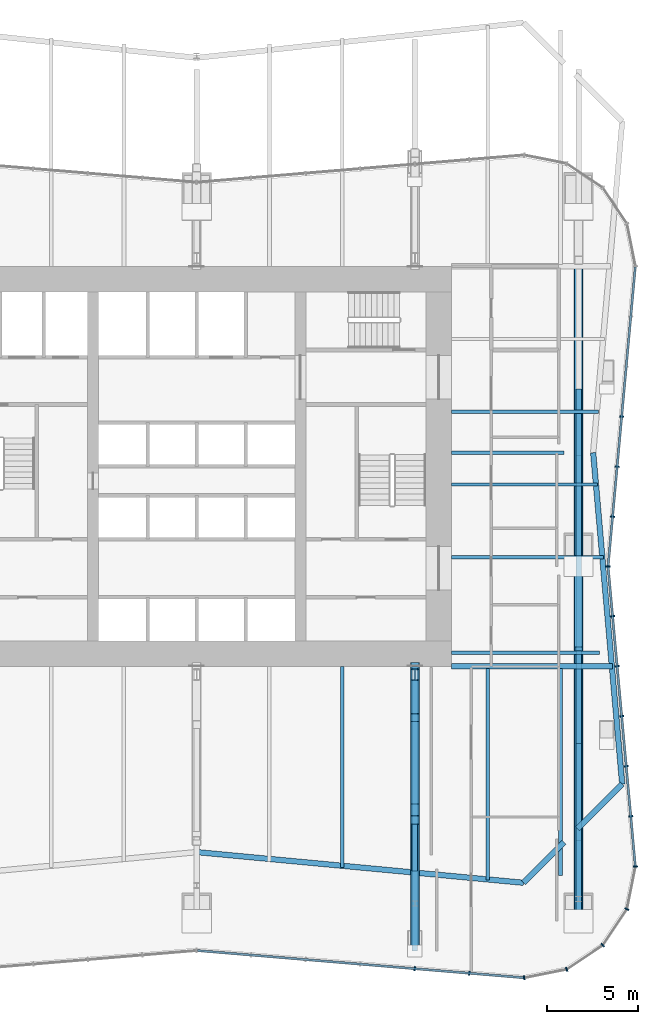
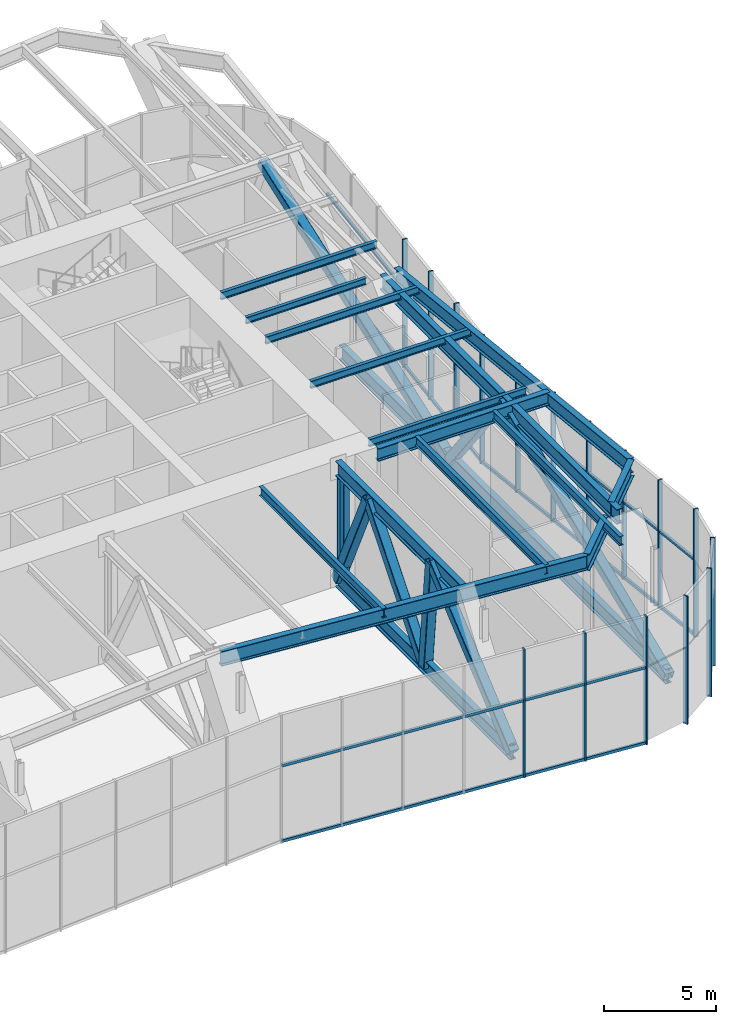
# One storey, part 7 of 17: 37 members, 13 beams, 3 elements without a shape of their own.
"""IFC4 building model written with IfcOpenShell, lengths in metres."""

from ifc_helpers import new_model, si_unit, direction, frame, origin, origin_2d, place, context, subcontext, project, spatial, rectangle, hollow_rectangle, i_section, extrude, material, material_profile, profile_set, type_object, element, aggregate, save


model = new_model("IFC4")

# Units and contexts
model_context = context("Model", 3, precision=1e-05, world=origin(), true_north=direction((0.0, 1.0)))
body_context = subcontext(model_context, "Body", "Model", "MODEL_VIEW")
ifc_project = project(units=[si_unit("LENGTHUNIT", "METRE"), si_unit("AREAUNIT", "SQUARE_METRE"), si_unit("VOLUMEUNIT", "CUBIC_METRE"), si_unit("PLANEANGLEUNIT", "RADIAN"), si_unit("MASSUNIT", "GRAM", prefix="KILO")], contexts=[model_context])

# Site, building, storey
site_placement = place(None, origin())
site = spatial("IfcSite", under=ifc_project, at=site_placement, CompositionType="ELEMENT")
building_placement = place(site_placement, origin())
building = spatial("IfcBuilding", under=site, at=building_placement, Name="Verdant Reach Tower", CompositionType="ELEMENT")
storey_placement = place(building_placement, frame((0.0, 0.0, 58.0)))
storey = spatial("IfcBuildingStorey", under=building, at=storey_placement, Name="L13 Plant", CompositionType="ELEMENT", Elevation=58.0)

# Curtain wall, members
ifc_material_1 = material(Name="Anodised aluminium", Category="aluminium")
curtain_wall_type = type_object("IfcCurtainWallType", Name="EN-CW SYSTEM PLANT", PredefinedType="NOTDEFINED", material=ifc_material_1)
curtain_wall_1_placement = place(storey_placement, origin())
curtain_wall_1 = element("IfcCurtainWall", 1, at=curtain_wall_1_placement, inside=storey, type_object=curtain_wall_type, Name="Curtain wall south-east corner, L13", PredefinedType="NOTDEFINED")
ifc_material_profile_1 = material_profile(ifc_material_1, rectangle(XDim=0.238037109375, YDim=0.080078125, at=origin_2d()), Name="Mullion 80x240")
ifc_profile_set_1 = profile_set([ifc_material_profile_1], Name="Anodised aluminium")
member_type_1 = type_object("IfcMemberType", Name="EN-MULLION PLANT", PredefinedType="MULLION", material=ifc_profile_set_1)
member_1_placement = place(storey_placement, frame((18.0068359375, -0.118896484375, -0.35009765625), z_axis=(0.0, 0.0, 1.0), x_axis=(0.056569187765, -0.998398681387, 0.0)))
member_1 = element("IfcMember", 2, at=member_1_placement, type_object=member_type_1, Name="Mullion south-east corner 1, L13", PredefinedType="MULLION", context=body_context, shape_type="SweptSolid", body=[
    extrude(rectangle(XDim=0.238037109375, YDim=0.080078125, at=origin_2d()), origin(), (0.0, 0.0, 1.0), 7.0),
])
member_2_placement = place(storey_placement, frame((20.341552734375, 0.3466796875, -0.35009765625), z_axis=(0.0, 0.0, 1.0), x_axis=(0.382693853776, -0.923875215753, 0.0)))
member_2 = element("IfcMember", 3, at=member_2_placement, type_object=member_type_1, Name="Mullion south-east corner 2, L13", PredefinedType="MULLION", context=body_context, shape_type="SweptSolid", body=[
    extrude(rectangle(XDim=0.238037109375, YDim=0.080078125, at=origin_2d()), origin(), (0.0, 0.0, 1.0), 7.0),
])
member_3_placement = place(storey_placement, frame((22.32666015625, 1.67333984375, -0.35009765625), z_axis=(0.0, 0.0, 1.0), x_axis=(0.707106781187, -0.707106781187, 0.0)))
member_3 = element("IfcMember", 4, at=member_3_placement, type_object=member_type_1, Name="Mullion south-east corner 3, L13", PredefinedType="MULLION", context=body_context, shape_type="SweptSolid", body=[
    extrude(rectangle(XDim=0.238037109375, YDim=0.080078125, at=origin_2d()), origin(), (0.0, 0.0, 1.0), 7.0),
])
member_4_placement = place(storey_placement, frame((23.6533203125, 3.658447265625, -0.35009765625), z_axis=(0.0, 0.0, 1.0), x_axis=(0.923875215753, -0.382693853776, 0.0)))
member_4 = element("IfcMember", 5, at=member_4_placement, type_object=member_type_1, Name="Mullion south-east corner 4, L13", PredefinedType="MULLION", context=body_context, shape_type="SweptSolid", body=[
    extrude(rectangle(XDim=0.238037109375, YDim=0.080078125, at=origin_2d()), origin(), (0.0, 0.0, 1.0), 7.0),
])
aggregate(curtain_wall_1, [member_1, member_2, member_3, member_4])

curtain_wall_2_placement = place(storey_placement, origin())
curtain_wall_2 = element("IfcCurtainWall", 6, at=curtain_wall_2_placement, inside=storey, type_object=curtain_wall_type, Name="Curtain wall east, L13", PredefinedType="NOTDEFINED")
member_5_placement = place(storey_placement, frame((24.118896484375, 5.99365234375, -0.35009765625), z_axis=(0.0, 0.0, 1.0), x_axis=(0.998604288049, -0.052815489107, 0.0)))
member_5 = element("IfcMember", 7, at=member_5_placement, type_object=member_type_1, Name="Mullion east face part 1 1, L13", PredefinedType="MULLION", context=body_context, shape_type="SweptSolid", body=[
    extrude(rectangle(XDim=0.238037109375, YDim=0.080078125, at=origin_2d()), origin(), (0.0, 0.0, 1.0), 7.0),
])
member_6_placement = place(storey_placement, frame((23.868408203125, 8.7607421875, -0.35009765625), z_axis=(0.0, 0.0, 1.0), x_axis=(0.995893206467, 0.090535746047, 0.0)))
member_6 = element("IfcMember", 8, at=member_6_placement, type_object=member_type_1, Name="Mullion east face part 1 2, L13", PredefinedType="MULLION", context=body_context, shape_type="SweptSolid", body=[
    extrude(rectangle(XDim=0.238037109375, YDim=0.080078125, at=origin_2d()), origin(), (0.0, 0.0, 1.0), 7.0),
])
member_7_placement = place(storey_placement, frame((23.618408203125, 11.5107421875, -0.35009765625), z_axis=(0.0, 0.0, 1.0), x_axis=(0.995893206467, 0.090535746047, 0.0)))
member_7 = element("IfcMember", 9, at=member_7_placement, type_object=member_type_1, Name="Mullion east face part 1 3, L13", PredefinedType="MULLION", context=body_context, shape_type="SweptSolid", body=[
    extrude(rectangle(XDim=0.238037109375, YDim=0.080078125, at=origin_2d()), origin(), (0.0, 0.0, 1.0), 7.0),
])
member_8_placement = place(storey_placement, frame((23.368408203125, 14.2607421875, -0.35009765625), z_axis=(0.0, 0.0, 1.0), x_axis=(0.995893206467, 0.090535746047, 0.0)))
member_8 = element("IfcMember", 10, at=member_8_placement, type_object=member_type_1, Name="Mullion east face part 1 4, L13", PredefinedType="MULLION", context=body_context, shape_type="SweptSolid", body=[
    extrude(rectangle(XDim=0.238037109375, YDim=0.080078125, at=origin_2d()), origin(), (0.0, 0.0, 1.0), 7.0),
])
member_9_placement = place(storey_placement, frame((23.118408203125, 17.0107421875, -0.35009765625), z_axis=(0.0, 0.0, 1.0), x_axis=(0.995893206467, 0.090535746047, 0.0)))
member_9 = element("IfcMember", 11, at=member_9_placement, type_object=member_type_1, Name="Mullion east face part 1 5, L13", PredefinedType="MULLION", context=body_context, shape_type="SweptSolid", body=[
    extrude(rectangle(XDim=0.238037109375, YDim=0.080078125, at=origin_2d()), origin(), (0.0, 0.0, 1.0), 7.0),
])
member_10_placement = place(storey_placement, frame((22.868408203125, 19.7607421875, -0.35009765625), z_axis=(0.0, 0.0, 1.0), x_axis=(0.995893206467, 0.090535746047, 0.0)))
member_10 = element("IfcMember", 12, at=member_10_placement, type_object=member_type_1, Name="Mullion east face part 1 6, L13", PredefinedType="MULLION", context=body_context, shape_type="SweptSolid", body=[
    extrude(rectangle(XDim=0.238037109375, YDim=0.080078125, at=origin_2d()), origin(), (0.0, 0.0, 1.0), 7.0),
])
member_11_placement = place(storey_placement, frame((22.618896484375, 22.5, -0.35009765625), z_axis=(0.0, 0.0, 1.0), x_axis=(1.0, 0.0, 0.0)))
member_11 = element("IfcMember", 13, at=member_11_placement, type_object=member_type_1, Name="Mullion east face part 2 1, L13", PredefinedType="MULLION", context=body_context, shape_type="SweptSolid", body=[
    extrude(rectangle(XDim=0.238037109375, YDim=0.080078125, at=origin_2d()), origin(), (0.0, 0.0, 1.0), 7.0),
])
member_12_placement = place(storey_placement, frame((22.868408203125, 25.2392578125, -0.35009765625), z_axis=(0.0, 0.0, 1.0), x_axis=(0.995893206467, -0.090535746047, 0.0)))
member_12 = element("IfcMember", 14, at=member_12_placement, type_object=member_type_1, Name="Mullion east face part 2 2, L13", PredefinedType="MULLION", context=body_context, shape_type="SweptSolid", body=[
    extrude(rectangle(XDim=0.238037109375, YDim=0.080078125, at=origin_2d()), origin(), (0.0, 0.0, 1.0), 7.0),
])
member_13_placement = place(storey_placement, frame((23.118408203125, 27.9892578125, -0.35009765625), z_axis=(0.0, 0.0, 1.0), x_axis=(0.995893206467, -0.090535746047, 0.0)))
member_13 = element("IfcMember", 15, at=member_13_placement, type_object=member_type_1, Name="Mullion east face part 2 3, L13", PredefinedType="MULLION", context=body_context, shape_type="SweptSolid", body=[
    extrude(rectangle(XDim=0.238037109375, YDim=0.080078125, at=origin_2d()), origin(), (0.0, 0.0, 1.0), 7.0),
])
member_14_placement = place(storey_placement, frame((23.368408203125, 30.7392578125, -0.35009765625), z_axis=(0.0, 0.0, 1.0), x_axis=(0.995893206467, -0.090535746047, 0.0)))
member_14 = element("IfcMember", 16, at=member_14_placement, type_object=member_type_1, Name="Mullion east face part 2 4, L13", PredefinedType="MULLION", context=body_context, shape_type="SweptSolid", body=[
    extrude(rectangle(XDim=0.238037109375, YDim=0.080078125, at=origin_2d()), origin(), (0.0, 0.0, 1.0), 7.0),
])

curtain_wall_3_placement = place(storey_placement, origin())
curtain_wall_3 = element("IfcCurtainWall", 17, at=curtain_wall_3_placement, inside=storey, type_object=curtain_wall_type, Name="Curtain wall south, L13", PredefinedType="NOTDEFINED")
member_15_placement = place(storey_placement, frame((11.990234375, 0.38134765625, -0.35009765625), z_axis=(0.0, 0.0, 1.0), x_axis=(-0.083045479859, -0.996545758244, 0.0)))
member_15 = element("IfcMember", 18, at=member_15_placement, type_object=member_type_1, Name="Mullion south face part 2 5, L13", PredefinedType="MULLION", context=body_context, shape_type="SweptSolid", body=[
    extrude(rectangle(XDim=0.238037109375, YDim=0.080078125, at=origin_2d()), origin(), (0.0, 0.0, 1.0), 7.0),
])
member_16_placement = place(storey_placement, frame((14.990234375, 0.13134765625, -0.35009765625), z_axis=(0.0, 0.0, 1.0), x_axis=(-0.083045479859, -0.996545758244, 0.0)))
member_16 = element("IfcMember", 19, at=member_16_placement, type_object=member_type_1, Name="Mullion south face part 2 6, L13", PredefinedType="MULLION", context=body_context, shape_type="SweptSolid", body=[
    extrude(rectangle(XDim=0.238037109375, YDim=0.080078125, at=origin_2d()), origin(), (0.0, 0.0, 1.0), 7.0),
])

# Member
ifc_material_profile_2 = material_profile(ifc_material_1, rectangle(XDim=0.1201171875, YDim=0.14990234375, at=origin_2d()), Name="Transom 150x120")
ifc_profile_set_2 = profile_set([ifc_material_profile_2], Name="Anodised aluminium")
member_type_2 = type_object("IfcMemberType", Name="EN-TRANSOM PLANT", PredefinedType="USERDEFINED", material=ifc_profile_set_2)
member_17_placement = place(storey_placement, frame((24.115234375, 6.033447265625, -0.27490234375), z_axis=(-0.090495709418, 0.995896845349, 0.0), x_axis=(-0.995896845349, -0.090495709418, 0.0)))
member_17 = element("IfcMember", 20, at=member_17_placement, type_object=member_type_2, Name="Transom east face part 1 1.1, L13", ObjectType="TRANSOM", PredefinedType="USERDEFINED", context=body_context, shape_type="SweptSolid", body=[
    extrude(rectangle(XDim=0.1201171875, YDim=0.14990234375, at=origin_2d()), origin(), (0.0, 0.0, 1.0), 16.494384765625),
])

member_18_placement = place(storey_placement, frame((24.115234375, 6.033447265625, 3.85009765625), z_axis=(-0.090495709418, 0.995896845349, 0.0), x_axis=(-0.995896845349, -0.090495709418, 0.0)))
member_18 = element("IfcMember", 21, at=member_18_placement, type_object=member_type_2, Name="Transom east face part 1 1.2, L13", ObjectType="TRANSOM", PredefinedType="USERDEFINED", context=body_context, shape_type="SweptSolid", body=[
    extrude(rectangle(XDim=0.1201171875, YDim=0.14990234375, at=origin_2d()), origin(), (0.0, 0.0, 1.0), 16.494384765625),
])

member_19_placement = place(storey_placement, frame((22.62255859375, 22.539794921875, -0.27490234375), z_axis=(0.090495709418, 0.995896845349, 0.0), x_axis=(-0.995896845349, 0.090495709418, 0.0)))
member_19 = element("IfcMember", 22, at=member_19_placement, type_object=member_type_2, Name="Transom east face part 2 1.1, L13", ObjectType="TRANSOM", PredefinedType="USERDEFINED", context=body_context, shape_type="SweptSolid", body=[
    extrude(rectangle(XDim=0.1201171875, YDim=0.14990234375, at=origin_2d()), origin(), (0.0, 0.0, 1.0), 16.494384765625),
])

member_20_placement = place(storey_placement, frame((22.62255859375, 22.539794921875, 3.85009765625), z_axis=(0.090495709418, 0.995896845349, 0.0), x_axis=(-0.995896845349, 0.090495709418, 0.0)))
member_20 = element("IfcMember", 23, at=member_20_placement, type_object=member_type_2, Name="Transom east face part 2 1.2, L13", ObjectType="TRANSOM", PredefinedType="USERDEFINED", context=body_context, shape_type="SweptSolid", body=[
    extrude(rectangle(XDim=0.1201171875, YDim=0.14990234375, at=origin_2d()), origin(), (0.0, 0.0, 1.0), 16.494384765625),
])

aggregate(curtain_wall_2, [member_5, member_6, member_7, member_8, member_9, member_10, member_17, member_18, member_11, member_12, member_13, member_14, member_19, member_20])

member_21_placement = place(storey_placement, frame((0.039794921875, 1.377685546875, -0.27490234375), z_axis=(0.996549220477, -0.083003922598, 0.0), x_axis=(0.083003922598, 0.996549220477, 0.0)))
member_21 = element("IfcMember", 24, at=member_21_placement, type_object=member_type_2, Name="Transom south face part 2 1.1, L13", ObjectType="TRANSOM", PredefinedType="USERDEFINED", context=body_context, shape_type="SweptSolid", body=[
    extrude(rectangle(XDim=0.1201171875, YDim=0.14990234375, at=origin_2d()), origin(), (0.0, 0.0, 1.0), 17.989013671875),
])

member_22_placement = place(storey_placement, frame((0.039794921875, 1.377685546875, 3.85009765625), z_axis=(0.996549220477, -0.083003922598, 0.0), x_axis=(0.083003922598, 0.996549220477, 0.0)))
member_22 = element("IfcMember", 25, at=member_22_placement, type_object=member_type_2, Name="Transom south face part 2 1.2, L13", ObjectType="TRANSOM", PredefinedType="USERDEFINED", context=body_context, shape_type="SweptSolid", body=[
    extrude(rectangle(XDim=0.1201171875, YDim=0.14990234375, at=origin_2d()), origin(), (0.0, 0.0, 1.0), 17.989013671875),
])

aggregate(curtain_wall_3, [member_15, member_16, member_21, member_22])

# Beams
ifc_material_2 = material(Name="Steel S355", Category="steel")
ifc_material_profile_3 = material_profile(ifc_material_2, i_section(OverallWidth=0.300048828125, OverallDepth=0.699951171875, WebThickness=0.01708984375, FlangeThickness=0.031982421875, FilletRadius=0.027099609375, at=origin_2d()), Name="HEB 700")
ifc_profile_set_3 = profile_set([ifc_material_profile_3], Name="Steel S355")
beam_type_1 = type_object("IfcBeamType", Name="ST-BEAM-HEB700", PredefinedType="BEAM", material=ifc_profile_set_3)
beam_1_placement = place(storey_placement, frame((14.0, 17.0, 6.52001953125), z_axis=(1.0, 0.0, 0.0), x_axis=(0.0, 1.0, 0.0)))
element("IfcBeam", 26, at=beam_1_placement, inside=storey, type_object=beam_type_1, Name="Trimmer beam, L13 Plant", PredefinedType="BEAM", context=body_context, shape_type="SweptSolid", body=[
    extrude(i_section(OverallWidth=0.300048828125, OverallDepth=0.699951171875, WebThickness=0.01708984375, FlangeThickness=0.031982421875, FilletRadius=0.027099609375, at=origin_2d()), origin(), (0.0, 0.0, 1.0), 8.86376953125),
])
ifc_material_profile_4 = material_profile(ifc_material_2, i_section(OverallWidth=0.169921875, OverallDepth=0.360107421875, WebThickness=0.008056640625, FlangeThickness=0.0126953125, FilletRadius=0.01806640625, at=origin_2d()), Name="IPE 360")
ifc_profile_set_4 = profile_set([ifc_material_profile_4], Name="Steel S355")
beam_type_2 = type_object("IfcBeamType", Name="ST-JOIST-IPE360", PredefinedType="JOIST", material=ifc_profile_set_4)
beam_2_placement = place(storey_placement, frame((14.0, 28.75, 6.68994140625), z_axis=(1.0, 0.0, 0.0), x_axis=(0.0, 1.0, 0.0)))
element("IfcBeam", 27, at=beam_2_placement, inside=storey, type_object=beam_type_2, Name="Floor joist, L13 Plant", PredefinedType="JOIST", context=body_context, shape_type="SweptSolid", body=[
    extrude(i_section(OverallWidth=0.169921875, OverallDepth=0.360107421875, WebThickness=0.008056640625, FlangeThickness=0.0126953125, FilletRadius=0.01806640625, at=origin_2d()), origin(), (0.0, 0.0, 1.0), 6.199951171875),
])
ifc_material_profile_5 = material_profile(ifc_material_2, i_section(OverallWidth=0.179931640625, OverallDepth=0.39990234375, WebThickness=0.008544921875, FlangeThickness=0.013427734375, FilletRadius=0.02099609375, at=origin_2d()), Name="IPE 400")
ifc_profile_set_5 = profile_set([ifc_material_profile_5], Name="Steel S355")
beam_type_3 = type_object("IfcBeamType", Name="ST-JOIST-IPE400", PredefinedType="JOIST", material=ifc_profile_set_5)
beam_3_placement = place(storey_placement, frame((14.0, 17.75390625, 6.669921875), z_axis=(1.0, 0.0, 0.0), x_axis=(0.0, 1.0, 0.0)))
element("IfcBeam", 28, at=beam_3_placement, inside=storey, type_object=beam_type_3, Name="Floor joist, L13 Plant", PredefinedType="JOIST", context=body_context, shape_type="SweptSolid", body=[
    extrude(i_section(OverallWidth=0.179931640625, OverallDepth=0.39990234375, WebThickness=0.008544921875, FlangeThickness=0.013427734375, FilletRadius=0.02099609375, at=origin_2d()), origin(), (0.0, 0.0, 1.0), 8.1337890625),
])
beam_4_placement = place(storey_placement, frame((14.0, 23.0, 6.669921875), z_axis=(1.0, 0.0, 0.0), x_axis=(0.0, 1.0, 0.0)))
element("IfcBeam", 29, at=beam_4_placement, inside=storey, type_object=beam_type_3, Name="Floor joist, L13 Plant", PredefinedType="JOIST", context=body_context, shape_type="SweptSolid", body=[
    extrude(i_section(OverallWidth=0.179931640625, OverallDepth=0.39990234375, WebThickness=0.008544921875, FlangeThickness=0.013427734375, FilletRadius=0.02099609375, at=origin_2d()), origin(), (0.0, 0.0, 1.0), 8.37060546875),
])
beam_5_placement = place(storey_placement, frame((14.0, 27.0, 6.669921875), z_axis=(1.0, 0.0, 0.0), x_axis=(0.0, 1.0, 0.0)))
element("IfcBeam", 30, at=beam_5_placement, inside=storey, type_object=beam_type_3, Name="Floor joist, L13 Plant", PredefinedType="JOIST", context=body_context, shape_type="SweptSolid", body=[
    extrude(i_section(OverallWidth=0.179931640625, OverallDepth=0.39990234375, WebThickness=0.008544921875, FlangeThickness=0.013427734375, FilletRadius=0.02099609375, at=origin_2d()), origin(), (0.0, 0.0, 1.0), 8.041748046875),
])
beam_6_placement = place(storey_placement, frame((14.0, 31.0, 6.669921875), z_axis=(1.0, 0.0, 0.0), x_axis=(0.0, 1.0, 0.0)))
element("IfcBeam", 31, at=beam_6_placement, inside=storey, type_object=beam_type_3, Name="Floor joist, L13 Plant", PredefinedType="JOIST", context=body_context, shape_type="SweptSolid", body=[
    extrude(i_section(OverallWidth=0.179931640625, OverallDepth=0.39990234375, WebThickness=0.008544921875, FlangeThickness=0.013427734375, FilletRadius=0.02099609375, at=origin_2d()), origin(), (0.0, 0.0, 1.0), 8.0830078125),
])
ifc_material_profile_6 = material_profile(ifc_material_2, i_section(OverallWidth=0.199951171875, OverallDepth=0.5, WebThickness=0.01025390625, FlangeThickness=0.01611328125, FilletRadius=0.02099609375, at=origin_2d()), Name="IPE 500")
ifc_profile_set_6 = profile_set([ifc_material_profile_6], Name="Steel S355")
beam_type_4 = type_object("IfcBeamType", Name="ST-JOIST-IPE500", PredefinedType="JOIST", material=ifc_profile_set_6)
beam_7_placement = place(storey_placement, frame((8.0, 17.0, 6.6201171875), z_axis=(0.0, -1.0, 0.0), x_axis=(1.0, 0.0, 0.0)))
element("IfcBeam", 32, at=beam_7_placement, inside=storey, type_object=beam_type_4, Name="Floor joist, L13 Plant", PredefinedType="JOIST", context=body_context, shape_type="SweptSolid", body=[
    extrude(i_section(OverallWidth=0.199951171875, OverallDepth=0.5, WebThickness=0.01025390625, FlangeThickness=0.01611328125, FilletRadius=0.02099609375, at=origin_2d()), origin(), (0.0, 0.0, 1.0), 11.064697265625),
])
beam_8_placement = place(storey_placement, frame((16.0, 16.89990234375, 6.6201171875), z_axis=(0.0, -1.0, 0.0), x_axis=(1.0, 0.0, 0.0)))
element("IfcBeam", 33, at=beam_8_placement, inside=storey, type_object=beam_type_4, Name="Floor joist, L13 Plant", PredefinedType="JOIST", context=body_context, shape_type="SweptSolid", body=[
    extrude(i_section(OverallWidth=0.199951171875, OverallDepth=0.5, WebThickness=0.01025390625, FlangeThickness=0.01611328125, FilletRadius=0.02099609375, at=origin_2d()), origin(), (0.0, 0.0, 1.0), 11.631103515625),
])
beam_9_placement = place(storey_placement, frame((20.0, 16.89990234375, 6.6201171875), z_axis=(0.0, -1.0, 0.0), x_axis=(1.0, 0.0, 0.0)))
element("IfcBeam", 34, at=beam_9_placement, inside=storey, type_object=beam_type_4, Name="Floor joist, L13 Plant", PredefinedType="JOIST", context=body_context, shape_type="SweptSolid", body=[
    extrude(i_section(OverallWidth=0.199951171875, OverallDepth=0.5, WebThickness=0.01025390625, FlangeThickness=0.01611328125, FilletRadius=0.02099609375, at=origin_2d()), origin(), (0.0, 0.0, 1.0), 11.390380859375),
])
ifc_material_profile_7 = material_profile(ifc_material_2, i_section(OverallWidth=0.300048828125, OverallDepth=0.800048828125, WebThickness=0.017578125, FlangeThickness=0.032958984375, FilletRadius=0.030029296875, at=origin_2d()), Name="HEB 800")
ifc_profile_set_7 = profile_set([ifc_material_profile_7], Name="Steel S355")
beam_type_5 = type_object("IfcBeamType", Name="ST-SPANDREL-HEB800", PredefinedType="SPANDREL", material=ifc_profile_set_7)
beam_10_placement = place(storey_placement, frame((17.9658203125, 5.10498046875, 6.469970703125), z_axis=(-0.995620226814, 0.093489913672, 0.0), x_axis=(-0.093489913672, -0.995620226814, 0.0)))
element("IfcBeam", 35, at=beam_10_placement, inside=storey, type_object=beam_type_5, Name="Edge beam, L13 Plant", PredefinedType="SPANDREL", context=body_context, shape_type="SweptSolid", body=[
    extrude(i_section(OverallWidth=0.300048828125, OverallDepth=0.800048828125, WebThickness=0.017578125, FlangeThickness=0.032958984375, FilletRadius=0.030029296875, at=origin_2d()), origin(), (0.0, 0.0, 1.0), 18.044921875),
])
beam_11_placement = place(storey_placement, frame((21.800048828125, 28.75, 6.469970703125), z_axis=(0.087228233643, -0.996188353302, 0.0), x_axis=(0.996188353302, 0.087228233643, 0.0)))
element("IfcBeam", 36, at=beam_11_placement, inside=storey, type_object=beam_type_5, Name="Edge beam, L13 Plant", PredefinedType="SPANDREL", context=body_context, shape_type="SweptSolid", body=[
    extrude(i_section(OverallWidth=0.300048828125, OverallDepth=0.800048828125, WebThickness=0.017578125, FlangeThickness=0.032958984375, FilletRadius=0.030029296875, at=origin_2d()), origin(), (0.0, 0.0, 1.0), 18.284912109375),
])
ifc_material_profile_8 = material_profile(ifc_material_2, i_section(OverallWidth=0.302001953125, OverallDepth=0.909912109375, WebThickness=0.02099609375, FlangeThickness=0.0400390625, FilletRadius=0.030029296875, at=origin_2d()), Name="HEM 900")
ifc_profile_set_8 = profile_set([ifc_material_profile_8], Name="Steel S355")
beam_type_6 = type_object("IfcBeamType", Name="ST-SPANDREL-HEM900", PredefinedType="SPANDREL", material=ifc_profile_set_8)
beam_12_placement = place(storey_placement, frame((23.39501953125, 10.53466796875, 6.4150390625), z_axis=(-0.707071707315, -0.707141853318, 0.0), x_axis=(0.707141853318, -0.707071707315, 0.0)))
element("IfcBeam", 37, at=beam_12_placement, inside=storey, type_object=beam_type_6, Name="Edge beam, L13 Plant", PredefinedType="SPANDREL", context=body_context, shape_type="SweptSolid", body=[
    extrude(i_section(OverallWidth=0.302001953125, OverallDepth=0.909912109375, WebThickness=0.02099609375, FlangeThickness=0.0400390625, FilletRadius=0.030029296875, at=origin_2d()), origin(), (0.0, 0.0, 1.0), 3.48046875),
])
beam_13_placement = place(storey_placement, frame((20.199951171875, 7.33935546875, 6.4150390625), z_axis=(-0.70706814675, -0.707145413513, 0.0), x_axis=(0.707145413513, -0.70706814675, 0.0)))
element("IfcBeam", 38, at=beam_13_placement, inside=storey, type_object=beam_type_6, Name="Edge beam, L13 Plant", PredefinedType="SPANDREL", context=body_context, shape_type="SweptSolid", body=[
    extrude(i_section(OverallWidth=0.302001953125, OverallDepth=0.909912109375, WebThickness=0.02099609375, FlangeThickness=0.0400390625, FilletRadius=0.030029296875, at=origin_2d()), origin(), (0.0, 0.0, 1.0), 3.15966796875),
])

# Members
ifc_material_3 = material(Name="Steel S460", Category="steel")
ifc_material_profile_9 = material_profile(ifc_material_3, hollow_rectangle(XDim=0.5, YDim=0.5, WallThickness=0.02490234375, InnerFilletRadius=0.02490234375, OuterFilletRadius=0.050048828125, at=origin_2d()), Name="RHS 500x500x25")
ifc_profile_set_9 = profile_set([ifc_material_profile_9], Name="Steel S460")
member_type_3 = type_object("IfcMemberType", Name="ST-TRUSS-BRACE-RHS500x500x25", PredefinedType="BRACE", material=ifc_profile_set_9)
member_23_placement = place(storey_placement, frame((12.0, 17.0, 0.406982421875), z_axis=(0.0, -0.421213359754, 0.90696157888), x_axis=(1.0, 0.0, 0.0)))
element("IfcMember", 39, at=member_23_placement, inside=storey, type_object=member_type_3, Name="Outrigger truss E south, diagonal, L13 Plant", PredefinedType="BRACE", context=body_context, shape_type="SweptSolid", body=[
    extrude(hollow_rectangle(XDim=0.5, YDim=0.5, WallThickness=0.02490234375, InnerFilletRadius=0.02490234375, OuterFilletRadius=0.050048828125, at=origin_2d()), origin(), (0.0, 0.0, 1.0), 6.67724609375),
])
member_24_placement = place(storey_placement, frame((12.0, 14.1875, 6.462890625), z_axis=(0.0, -0.637433567857, -0.770505318975), x_axis=(1.0, 0.0, 0.0)))
element("IfcMember", 40, at=member_24_placement, inside=storey, type_object=member_type_3, Name="Outrigger truss E south, diagonal, L13 Plant", PredefinedType="BRACE", context=body_context, shape_type="SweptSolid", body=[
    extrude(hollow_rectangle(XDim=0.5, YDim=0.5, WallThickness=0.02490234375, InnerFilletRadius=0.02490234375, OuterFilletRadius=0.050048828125, at=origin_2d()), origin(), (0.0, 0.0, 1.0), 7.859619140625),
])
member_25_placement = place(storey_placement, frame((12.0, 9.177490234375, 0.406982421875), z_axis=(0.0, -0.100953078818, 0.994891187958), x_axis=(1.0, 0.0, 0.0)))
element("IfcMember", 41, at=member_25_placement, inside=storey, type_object=member_type_3, Name="Outrigger truss E south, diagonal, L13 Plant", PredefinedType="BRACE", context=body_context, shape_type="SweptSolid", body=[
    extrude(hollow_rectangle(XDim=0.5, YDim=0.5, WallThickness=0.02490234375, InnerFilletRadius=0.02490234375, OuterFilletRadius=0.050048828125, at=origin_2d()), origin(), (0.0, 0.0, 1.0), 6.0869140625),
])
member_26_placement = place(storey_placement, frame((12.0, 8.56298828125, 6.462890625), z_axis=(0.0, -0.76564304558, -0.64326567354), x_axis=(1.0, 0.0, 0.0)))
element("IfcMember", 42, at=member_26_placement, inside=storey, type_object=member_type_3, Name="Outrigger truss E south, diagonal, L13 Plant", PredefinedType="BRACE", context=body_context, shape_type="SweptSolid", body=[
    extrude(hollow_rectangle(XDim=0.5, YDim=0.5, WallThickness=0.02490234375, InnerFilletRadius=0.02490234375, OuterFilletRadius=0.050048828125, at=origin_2d()), origin(), (0.0, 0.0, 1.0), 9.414306640625),
])
member_27_placement = place(storey_placement, frame((21.0, 3.005126953125, 0.406982421875), z_axis=(0.0, 0.926219951132, 0.376983556836), x_axis=(-1.0, 0.0, 0.0)))
element("IfcMember", 43, at=member_27_placement, inside=storey, type_object=member_type_3, Name="Transfer truss F east, diagonal, L13 Plant", PredefinedType="BRACE", context=body_context, shape_type="SweptSolid", body=[
    extrude(hollow_rectangle(XDim=0.5, YDim=0.5, WallThickness=0.02490234375, InnerFilletRadius=0.02490234375, OuterFilletRadius=0.050048828125, at=origin_2d()), origin(), (0.0, 0.0, 1.0), 16.064208984375),
])
member_28_placement = place(storey_placement, frame((21.0, 17.884033203125, 6.462890625), z_axis=(0.0, 0.606792150197, -0.794860545291), x_axis=(-1.0, 0.0, 0.0)))
element("IfcMember", 44, at=member_28_placement, inside=storey, type_object=member_type_3, Name="Transfer truss F east, diagonal, L13 Plant", PredefinedType="BRACE", context=body_context, shape_type="SweptSolid", body=[
    extrude(hollow_rectangle(XDim=0.5, YDim=0.5, WallThickness=0.02490234375, InnerFilletRadius=0.02490234375, OuterFilletRadius=0.050048828125, at=origin_2d()), origin(), (0.0, 0.0, 1.0), 7.618896484375),
])
member_29_placement = place(storey_placement, frame((21.0, 22.507080078125, 0.406982421875), z_axis=(0.0, 0.940956635088, 0.338527119865), x_axis=(-1.0, 0.0, 0.0)))
element("IfcMember", 45, at=member_29_placement, inside=storey, type_object=member_type_3, Name="Transfer truss F east, diagonal, L13 Plant", PredefinedType="BRACE", context=body_context, shape_type="SweptSolid", body=[
    extrude(hollow_rectangle(XDim=0.5, YDim=0.5, WallThickness=0.02490234375, InnerFilletRadius=0.02490234375, OuterFilletRadius=0.050048828125, at=origin_2d()), origin(), (0.0, 0.0, 1.0), 17.888916015625),
])
ifc_material_profile_10 = material_profile(ifc_material_3, i_section(OverallWidth=0.302978515625, OverallDepth=0.81396484375, WebThickness=0.02099609375, FlangeThickness=0.0400390625, FilletRadius=0.030029296875, at=origin_2d()), Name="HEM 800")
ifc_profile_set_10 = profile_set([ifc_material_profile_10], Name="Steel S460")
member_type_4 = type_object("IfcMemberType", Name="ST-TRUSS-CHORD-HEM800", PredefinedType="CHORD", material=ifc_profile_set_10)
member_30_placement = place(storey_placement, frame((12.0, 17.0, 6.462890625), z_axis=(0.0, -1.0, 0.0), x_axis=(1.0, 0.0, 0.0)))
element("IfcMember", 46, at=member_30_placement, inside=storey, type_object=member_type_4, Name="Outrigger truss E south, top chord, L13 Plant", PredefinedType="CHORD", context=body_context, shape_type="SweptSolid", body=[
    extrude(i_section(OverallWidth=0.302978515625, OverallDepth=0.81396484375, WebThickness=0.02099609375, FlangeThickness=0.0400390625, FilletRadius=0.030029296875, at=origin_2d()), origin(), (0.0, 0.0, 1.0), 11.24951171875),
])
member_31_placement = place(storey_placement, frame((12.0, 17.0, 0.406982421875), z_axis=(0.0, -1.0, 0.0), x_axis=(1.0, 0.0, 0.0)))
element("IfcMember", 47, at=member_31_placement, inside=storey, type_object=member_type_4, Name="Outrigger truss E south, bottom chord, L13 Plant", PredefinedType="CHORD", context=body_context, shape_type="SweptSolid", body=[
    extrude(i_section(OverallWidth=0.302978515625, OverallDepth=0.81396484375, WebThickness=0.02099609375, FlangeThickness=0.0400390625, FilletRadius=0.030029296875, at=origin_2d()), origin(), (0.0, 0.0, 1.0), 15.64501953125),
])
member_32_placement = place(storey_placement, frame((21.0, 7.400634765625, 6.462890625), z_axis=(0.0, 1.0, 0.0), x_axis=(-1.0, 0.0, 0.0)))
element("IfcMember", 48, at=member_32_placement, inside=storey, type_object=member_type_4, Name="Transfer truss F east, top chord, L13 Plant", PredefinedType="CHORD", context=body_context, shape_type="SweptSolid", body=[
    extrude(i_section(OverallWidth=0.302978515625, OverallDepth=0.81396484375, WebThickness=0.02099609375, FlangeThickness=0.0400390625, FilletRadius=0.030029296875, at=origin_2d()), origin(), (0.0, 0.0, 1.0), 10.4833984375),
])
member_33_placement = place(storey_placement, frame((21.0, 3.005126953125, 0.406982421875), z_axis=(0.0, 1.0, 0.0), x_axis=(-1.0, 0.0, 0.0)))
element("IfcMember", 49, at=member_33_placement, inside=storey, type_object=member_type_4, Name="Transfer truss F east, bottom chord, L13 Plant", PredefinedType="CHORD", context=body_context, shape_type="SweptSolid", body=[
    extrude(i_section(OverallWidth=0.302978515625, OverallDepth=0.81396484375, WebThickness=0.02099609375, FlangeThickness=0.0400390625, FilletRadius=0.030029296875, at=origin_2d()), origin(), (0.0, 0.0, 1.0), 9.750732421875),
])
member_34_placement = place(storey_placement, frame((21.0, 17.884033203125, 6.462890625), z_axis=(0.0, 1.0, 0.0), x_axis=(-1.0, 0.0, 0.0)))
element("IfcMember", 50, at=member_34_placement, inside=storey, type_object=member_type_4, Name="Transfer truss F east, top chord, L13 Plant", PredefinedType="CHORD", context=body_context, shape_type="SweptSolid", body=[
    extrude(i_section(OverallWidth=0.302978515625, OverallDepth=0.81396484375, WebThickness=0.02099609375, FlangeThickness=0.0400390625, FilletRadius=0.030029296875, at=origin_2d()), origin(), (0.0, 0.0, 1.0), 10.727783203125),
])
for number, where, z_axis, x_axis, name in (
    (51, (21.0, 12.755859375, 0.406982421875), (0.0, 1.0, 0.0), (-1.0, 0.0, 0.0), "Transfer truss F east, bottom chord, L13 Plant"),
    (52, (21.0, 22.507080078125, 0.406982421875), (0.0, 1.0, 0.0), (-1.0, 0.0, 0.0), "Transfer truss F east, bottom chord, L13 Plant"),
):
    element("IfcMember", number, at=place(storey_placement, frame(where, z_axis=z_axis, x_axis=x_axis)), inside=storey, type_object=member_type_4, Name=name, PredefinedType="CHORD", context=body_context, shape_type="SweptSolid", body=[
        extrude(i_section(OverallWidth=0.302978515625, OverallDepth=0.81396484375, WebThickness=0.02099609375, FlangeThickness=0.0400390625, FilletRadius=0.030029296875, at=origin_2d()), origin(), (0.0, 0.0, 1.0), 9.751220703125),
    ])
ifc_material_profile_11 = material_profile(ifc_material_3, i_section(OverallWidth=0.304931640625, OverallDepth=0.6201171875, WebThickness=0.02099609375, FlangeThickness=0.0400390625, FilletRadius=0.027099609375, at=origin_2d()), Name="HEM 600")
ifc_profile_set_11 = profile_set([ifc_material_profile_11], Name="Steel S460")
member_type_5 = type_object("IfcMemberType", Name="ST-TRUSS-POST-HEM600", PredefinedType="POST", material=ifc_profile_set_11)
member_35_placement = place(storey_placement, frame((12.0, 16.550048828125, 0.833984375), z_axis=(0.0, 0.0, 1.0), x_axis=(1.0, 0.0, 0.0)))
element("IfcMember", 53, at=member_35_placement, inside=storey, type_object=member_type_5, Name="Outrigger truss E south, end post, L13 Plant", PredefinedType="POST", context=body_context, shape_type="SweptSolid", body=[
    extrude(i_section(OverallWidth=0.304931640625, OverallDepth=0.6201171875, WebThickness=0.02099609375, FlangeThickness=0.0400390625, FilletRadius=0.027099609375, at=origin_2d()), origin(), (0.0, 0.0, 1.0), 5.201904296875),
])

save(model, "model.ifc")
